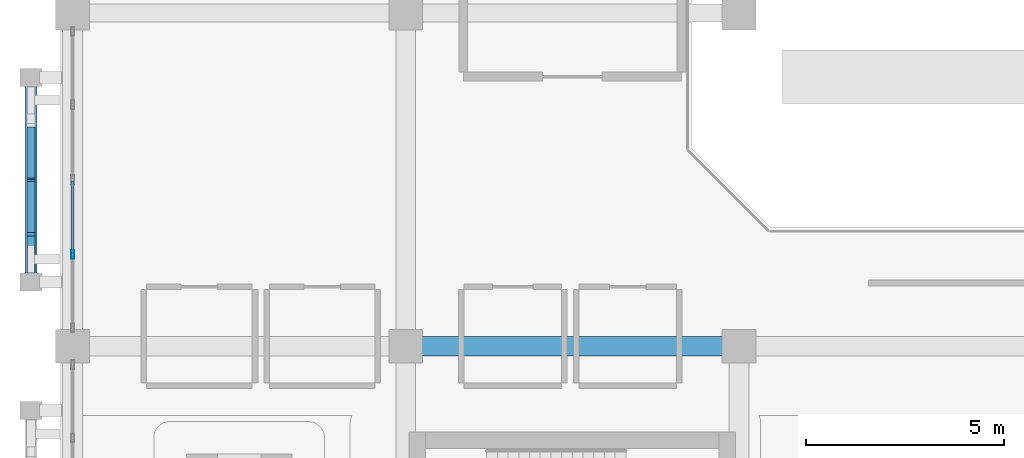
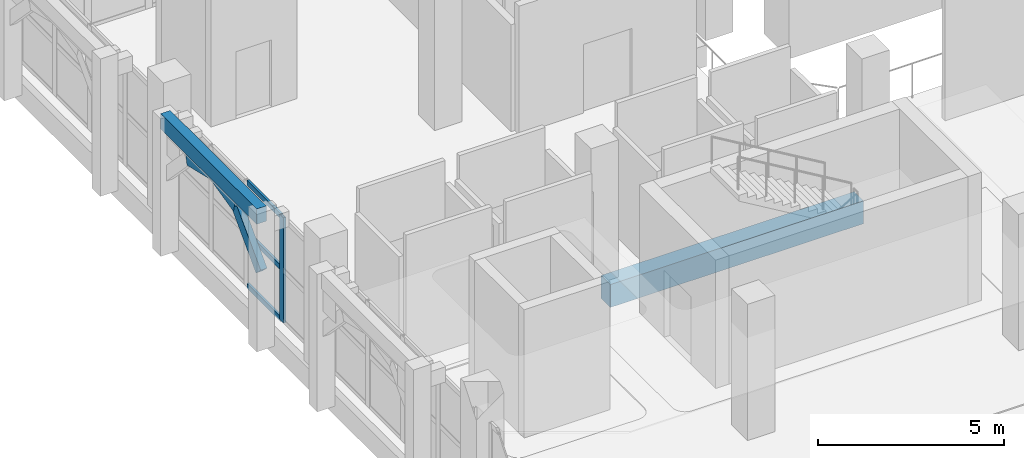
# One storey, part 51 of 137: 7 members, 2 beams, 1 element without a shape of its own.
"""IFC4 building model written with IfcOpenShell, lengths in metres."""

from ifc_helpers import new_model, si_unit, direction, frame, origin, origin_2d, place, context, subcontext, project, spatial, rectangle, hollow_rectangle, extrude, material, layer, layer_set, material_profile, profile_set, type_object, element, aggregate, save


model = new_model("IFC4")

# Units and contexts
model_context = context("Model", 3, precision=1e-05, world=origin(), true_north=direction((0.0, 1.0)))
body_context = subcontext(model_context, "Body", "Model", "MODEL_VIEW")
ifc_project = project(units=[si_unit("LENGTHUNIT", "METRE"), si_unit("AREAUNIT", "SQUARE_METRE"), si_unit("VOLUMEUNIT", "CUBIC_METRE"), si_unit("PLANEANGLEUNIT", "RADIAN"), si_unit("MASSUNIT", "GRAM", prefix="KILO")], contexts=[model_context])

# Site, building, storey
site_placement = place(None, origin())
site = spatial("IfcSite", under=ifc_project, at=site_placement, CompositionType="ELEMENT")
building_placement = place(site_placement, origin())
building = spatial("IfcBuilding", under=site, at=building_placement, Name="Xazarin Passage Department Store", CompositionType="ELEMENT")
storey_placement = place(building_placement, frame((0.0, 0.0, 5.39990234375)))
storey = spatial("IfcBuildingStorey", under=building, at=storey_placement, Name="L01", CompositionType="ELEMENT", Elevation=5.39990234375)

# Curtain wall, members
ifc_material_1 = material(Name="Bronze anodised aluminium", Category="aluminium")
ifc_layer = layer(ifc_material_1, 0.179931640625)
ifc_layer_set = layer_set([ifc_layer], Name="Bronze anodised aluminium")
curtain_wall_type = type_object("IfcCurtainWallType", Name="ARC-CW-VIT1", PredefinedType="NOTDEFINED", material=ifc_layer_set)
curtain_wall_placement = place(storey_placement, origin())
curtain_wall = element("IfcCurtainWall", 1, at=curtain_wall_placement, inside=storey, type_object=curtain_wall_type, Name="L01 V1 Curtain Wall 022", PredefinedType="NOTDEFINED")
ifc_material_profile_1 = material_profile(ifc_material_1, hollow_rectangle(XDim=0.074951171875, YDim=0.219970703125, WallThickness=0.0048828125, at=origin_2d()), Name="ALU 75x220")
ifc_profile_set_1 = profile_set([ifc_material_profile_1], Name="Bronze anodised aluminium")
member_type_1 = type_object("IfcMemberType", Name="ARC-CWM-75x220", PredefinedType="MULLION", material=ifc_profile_set_1)
member_1_placement = place(storey_placement, frame((0.0, 87.112548828125, 0.0), z_axis=(0.0, 0.0, 1.0), x_axis=(-1.0, 0.0, 0.0)))
member_1 = element("IfcMember", 2, at=member_1_placement, type_object=member_type_1, Name="CW1 mullion 2", PredefinedType="MULLION", context=body_context, shape_type="SweptSolid", body=[
    extrude(hollow_rectangle(XDim=0.074951171875, YDim=0.219970703125, WallThickness=0.0048828125, at=origin_2d()), origin(), (0.0, 0.0, 1.0), 3.4501953125),
])
ifc_material_profile_2 = material_profile(ifc_material_1, hollow_rectangle(XDim=0.074951171875, YDim=0.159912109375, WallThickness=0.00439453125, at=origin_2d()), Name="ALU 75x160")
ifc_profile_set_2 = profile_set([ifc_material_profile_2], Name="Bronze anodised aluminium")
member_type_2 = type_object("IfcMemberType", Name="ARC-CWT-75x160", PredefinedType="USERDEFINED", material=ifc_profile_set_2)
member_2_placement = place(storey_placement, frame((0.0, 87.14990234375, 0.03759765625), z_axis=(0.0, 1.0, 0.0), x_axis=(-1.0, 0.0, 0.0)))
member_2 = element("IfcMember", 3, at=member_2_placement, type_object=member_type_2, Name="CW1 transom 2.1", ObjectType="TRANSOM", PredefinedType="USERDEFINED", context=body_context, shape_type="SweptSolid", body=[
    extrude(hollow_rectangle(XDim=0.074951171875, YDim=0.159912109375, WallThickness=0.00439453125, at=origin_2d()), origin(), (0.0, 0.0, 1.0), 1.8125),
])
member_3_placement = place(storey_placement, frame((0.0, 87.14990234375, 1.72509765625), z_axis=(0.0, 1.0, 0.0), x_axis=(-1.0, 0.0, 0.0)))
member_3 = element("IfcMember", 4, at=member_3_placement, type_object=member_type_2, Name="CW1 transom 2.2", ObjectType="TRANSOM", PredefinedType="USERDEFINED", context=body_context, shape_type="SweptSolid", body=[
    extrude(hollow_rectangle(XDim=0.074951171875, YDim=0.159912109375, WallThickness=0.00439453125, at=origin_2d()), origin(), (0.0, 0.0, 1.0), 1.8125),
])
member_4_placement = place(storey_placement, frame((0.0, 87.14990234375, 3.41259765625), z_axis=(0.0, 1.0, 0.0), x_axis=(-1.0, 0.0, 0.0)))
member_4 = element("IfcMember", 5, at=member_4_placement, type_object=member_type_2, Name="CW1 transom 2.3", ObjectType="TRANSOM", PredefinedType="USERDEFINED", context=body_context, shape_type="SweptSolid", body=[
    extrude(hollow_rectangle(XDim=0.074951171875, YDim=0.159912109375, WallThickness=0.00439453125, at=origin_2d()), origin(), (0.0, 0.0, 1.0), 1.8125),
])
aggregate(curtain_wall, [member_1, member_2, member_3, member_4])

# Beams
ifc_material_2 = material(Name="Concrete C35/45", Category="concrete")
ifc_material_profile_3 = material_profile(ifc_material_2, rectangle(XDim=0.300048828125, YDim=0.5, at=origin_2d()), Name="RC 300x500")
ifc_profile_set_3 = profile_set([ifc_material_profile_3], Name="Concrete C35/45")
beam_type_1 = type_object("IfcBeamType", Name="STR-BM-LN300x500", PredefinedType="LINTEL", material=ifc_profile_set_3)
beam_1_placement = place(storey_placement, frame((-1.050048828125, 86.419921875, 4.25), z_axis=(0.0, 1.0, 0.0), x_axis=(-1.0, 0.0, 0.0)))
element("IfcBeam", 6, at=beam_1_placement, inside=storey, type_object=beam_type_1, Name="L01 V1 Colonnade Spandrel Beam 012", PredefinedType="LINTEL", context=body_context, shape_type="SweptSolid", body=[
    extrude(rectangle(XDim=0.300048828125, YDim=0.5, at=origin_2d()), origin(), (0.0, 0.0, 1.0), 5.16015625),
])
ifc_material_profile_4 = material_profile(ifc_material_2, rectangle(XDim=0.5, YDim=0.75, at=origin_2d()), Name="RC 500x750")
ifc_profile_set_4 = profile_set([ifc_material_profile_4], Name="Concrete C35/45")
beam_type_2 = type_object("IfcBeamType", Name="STR-BM-SP500x750", PredefinedType="SPANDREL", material=ifc_profile_set_4)
beam_2_placement = place(storey_placement, frame((8.679931640625, 84.800048828125, -0.6748046875), z_axis=(1.0, 0.0, 0.0), x_axis=(0.0, 1.0, 0.0)))
element("IfcBeam", 7, at=beam_2_placement, inside=storey, type_object=beam_type_2, Name="L01 Grid Beam M/2-3", PredefinedType="SPANDREL", context=body_context, shape_type="SweptSolid", body=[
    extrude(rectangle(XDim=0.5, YDim=0.75, at=origin_2d()), origin(), (0.0, 0.0, 1.0), 7.840087890625),
])

# Members
ifc_material_3 = material(Name="Concrete C40/50", Category="concrete")
ifc_material_profile_5 = material_profile(ifc_material_3, rectangle(XDim=0.199951171875, YDim=0.360107421875, at=origin_2d()), Name="RC 200x360")
ifc_profile_set_5 = profile_set([ifc_material_profile_5], Name="Concrete C40/50")
member_type_3 = type_object("IfcMemberType", Name="STR-MEM-ARC360", PredefinedType="CHORD", material=ifc_profile_set_5)
member_5_placement = place(storey_placement, frame((-1.050048828125, 86.419921875, 2.43017578125), z_axis=(0.0, 0.693460080602, 0.720495049679), x_axis=(-1.0, 0.0, 0.0)))
element("IfcMember", 8, at=member_5_placement, inside=storey, type_object=member_type_3, Name="L01 V1 Pierced Lattice Curved Arch 012.1", PredefinedType="CHORD", context=body_context, shape_type="SweptSolid", body=[
    extrude(rectangle(XDim=0.199951171875, YDim=0.360107421875, at=origin_2d()), origin(), (0.0, 0.0, 1.0), 1.8603515625),
])
for number, where, z_axis, x_axis, name in (
    (9, (-1.050048828125, 87.7099609375, 3.7705078125), (0.0, 0.972393983317, 0.233345111818), (-1.0, 0.0, 0.0), "L01 V1 Pierced Lattice Curved Arch 012.2"),
    (10, (-1.050048828125, 89.0, 4.080078125), (0.0, 0.972393983317, -0.233345111818), (-1.0, 0.0, 0.0), "L01 V1 Pierced Lattice Curved Arch 012.3"),
):
    element("IfcMember", number, at=place(storey_placement, frame(where, z_axis=z_axis, x_axis=x_axis)), inside=storey, type_object=member_type_3, Name=name, PredefinedType="CHORD", context=body_context, shape_type="SweptSolid", body=[
        extrude(rectangle(XDim=0.199951171875, YDim=0.360107421875, at=origin_2d()), origin(), (0.0, 0.0, 1.0), 1.32666015625),
    ])

save(model, "model.ifc")
